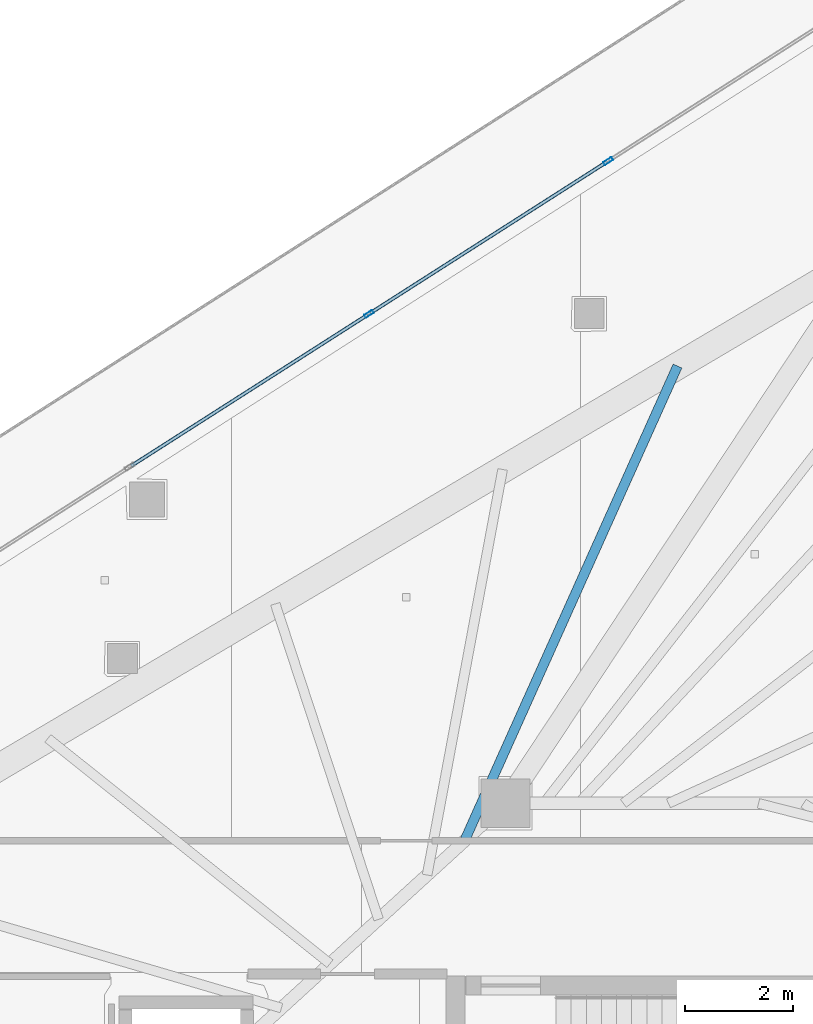
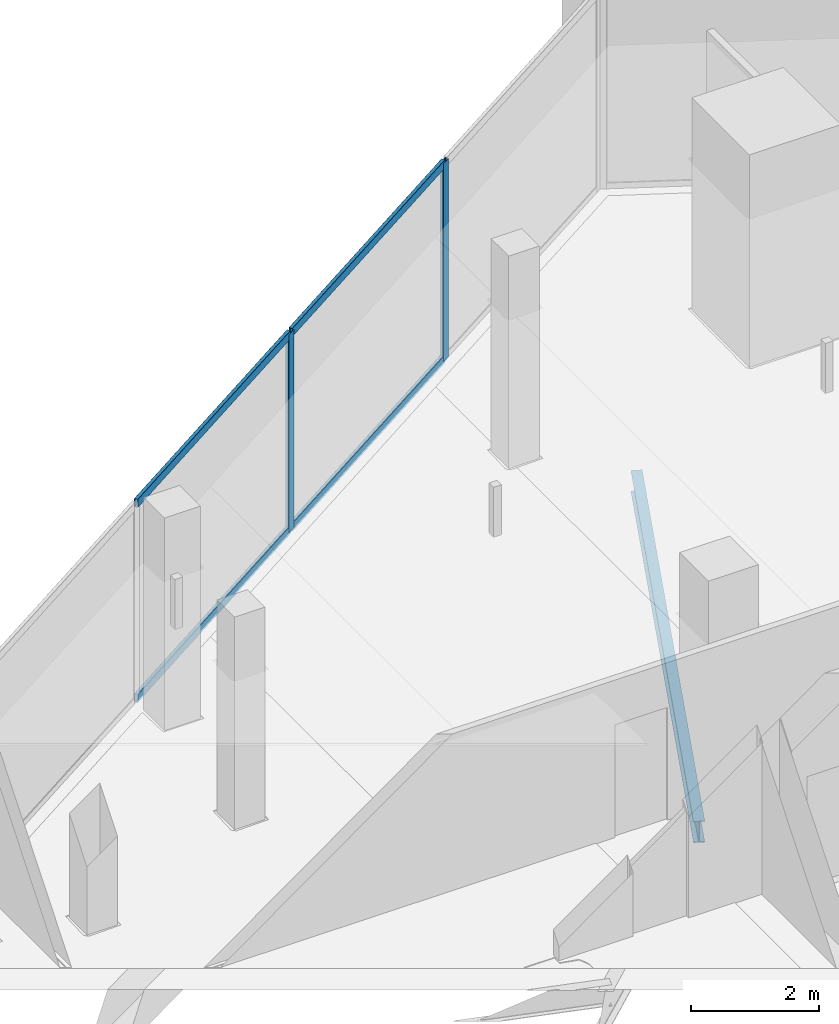
# One storey, part 18 of 33: 6 members, 1 beam, 1 element without a shape of its own.
"""IFC4 building model written with IfcOpenShell, lengths in metres."""

from ifc_helpers import new_model, si_unit, direction, frame, origin, origin_2d, place, context, subcontext, project, spatial, hollow_rectangle, i_section, extrude, material, layer, layer_set, material_profile, profile_set, type_object, element, aggregate, save


model = new_model("IFC4")

# Units and contexts
model_context = context("Model", 3, precision=1e-05, world=origin(), true_north=direction((0.0, 1.0)))
body_context = subcontext(model_context, "Body", "Model", "MODEL_VIEW")
ifc_project = project(units=[si_unit("LENGTHUNIT", "METRE"), si_unit("AREAUNIT", "SQUARE_METRE"), si_unit("VOLUMEUNIT", "CUBIC_METRE"), si_unit("PLANEANGLEUNIT", "RADIAN"), si_unit("MASSUNIT", "GRAM", prefix="KILO")], contexts=[model_context])

# Site, building, storey
site_placement = place(None, origin())
site = spatial("IfcSite", under=ifc_project, at=site_placement, CompositionType="ELEMENT")
building_placement = place(site_placement, origin())
building = spatial("IfcBuilding", under=site, at=building_placement, Name="Qorvath Tower", CompositionType="ELEMENT")
storey_placement = place(building_placement, frame((0.0, 0.0, 221.25)))
storey = spatial("IfcBuildingStorey", under=building, at=storey_placement, Name="L51", CompositionType="ELEMENT", Elevation=221.25)

# Beam
ifc_material_1 = material(Name="Steel ASTM A992 Grade 50", Category="steel")
ifc_material_profile_1 = material_profile(ifc_material_1, i_section(OverallWidth=0.177978515625, OverallDepth=0.406005859375, WebThickness=0.0078125, FlangeThickness=0.0126953125, FilletRadius=0.010986328125, at=origin_2d()), Name="W16x40")
ifc_profile_set_1 = profile_set([ifc_material_profile_1], Name="Steel ASTM A992 Grade 50")
beam_type = type_object("IfcBeamType", Name="BM-FJ3", PredefinedType="JOIST", material=ifc_profile_set_1)
beam_placement = place(storey_placement, frame((-24.35888671875, 10.757080078125, -0.472900390625), z_axis=(0.409327209141, 0.912387656568, 0.0), x_axis=(-0.912387656568, 0.409327209141, 0.0)))
element("IfcBeam", 1, at=beam_placement, inside=storey, type_object=beam_type, Name="Composite Floor Joist NW7 L51", PredefinedType="JOIST", context=body_context, shape_type="SweptSolid", body=[
    extrude(i_section(OverallWidth=0.177978515625, OverallDepth=0.406005859375, WebThickness=0.0078125, FlangeThickness=0.0126953125, FilletRadius=0.010986328125, at=origin_2d()), origin(), (0.0, 0.0, 1.0), 9.611083984375),
])

# Curtain wall, members
ifc_material_2 = material(Name="Anodised aluminium and triple low-E glass", Category="aluminium")
ifc_layer = layer(ifc_material_2, 0.179931640625)
ifc_layer_set = layer_set([ifc_layer], Name="CW-SYS-3")
curtain_wall_type = type_object("IfcCurtainWallType", Name="CW-SYS-3", PredefinedType="NOTDEFINED", material=ifc_layer_set)
curtain_wall_placement = place(storey_placement, origin())
curtain_wall = element("IfcCurtainWall", 2, at=curtain_wall_placement, inside=storey, type_object=curtain_wall_type, Name="Curtain Wall CW-3 CW-T-L51-16.1", PredefinedType="NOTDEFINED")
ifc_material_3 = material(Name="Anodised aluminium 6063-T6", Category="aluminium")
ifc_material_profile_2 = material_profile(ifc_material_3, hollow_rectangle(XDim=0.06494140625, YDim=0.179931640625, WallThickness=0.00341796875, InnerFilletRadius=0.00341796875, OuterFilletRadius=0.007080078125, at=origin_2d()), Name="CWM 180x65")
ifc_profile_set_2 = profile_set([ifc_material_profile_2], Name="Anodised aluminium 6063-T6")
member_type_1 = type_object("IfcMemberType", Name="CWM-180", PredefinedType="MULLION", material=ifc_profile_set_2)
member_1_placement = place(storey_placement, frame((-21.705810546875, 23.311279296875, 0.0), z_axis=(0.0, 0.0, 1.0), x_axis=(0.538534785809, -0.842603278224, 0.0)))
member_1 = element("IfcMember", 3, at=member_1_placement, type_object=member_type_1, Name="CW-3 mullion 2", PredefinedType="MULLION", context=body_context, shape_type="SweptSolid", body=[
    extrude(hollow_rectangle(XDim=0.06494140625, YDim=0.179931640625, WallThickness=0.00341796875, InnerFilletRadius=0.00341796875, OuterFilletRadius=0.007080078125, at=origin_2d()), origin(), (0.0, 0.0, 1.0), 3.780029296875),
])
member_2_placement = place(storey_placement, frame((-26.122802734375, 20.48828125, 0.0), z_axis=(0.0, 0.0, 1.0), x_axis=(0.538534785809, -0.842603278224, 0.0)))
member_2 = element("IfcMember", 4, at=member_2_placement, type_object=member_type_1, Name="CW-3 mullion 3", PredefinedType="MULLION", context=body_context, shape_type="SweptSolid", body=[
    extrude(hollow_rectangle(XDim=0.06494140625, YDim=0.179931640625, WallThickness=0.00341796875, InnerFilletRadius=0.00341796875, OuterFilletRadius=0.007080078125, at=origin_2d()), origin(), (0.0, 0.0, 1.0), 3.780029296875),
])
ifc_material_4 = material(Name="Anodised aluminium 6063-T6", Category="aluminium")
ifc_material_profile_3 = material_profile(ifc_material_4, hollow_rectangle(XDim=0.06494140625, YDim=0.159912109375, WallThickness=0.00341796875, InnerFilletRadius=0.00341796875, OuterFilletRadius=0.007080078125, at=origin_2d()), Name="CWT 160x65")
ifc_profile_set_3 = profile_set([ifc_material_profile_3], Name="Anodised aluminium 6063-T6")
member_type_2 = type_object("IfcMemberType", Name="CWT-160", PredefinedType="USERDEFINED", material=ifc_profile_set_3)
member_3_placement = place(storey_placement, frame((-21.733154296875, 23.2939453125, 0.032470703125), z_axis=(-0.842603535115, -0.538534383871, 0.0), x_axis=(0.538534383871, -0.842603535115, 0.0)))
member_3 = element("IfcMember", 5, at=member_3_placement, type_object=member_type_2, Name="CW-3 transom 2.1", ObjectType="TRANSOM", PredefinedType="USERDEFINED", context=body_context, shape_type="SweptSolid", body=[
    extrude(hollow_rectangle(XDim=0.06494140625, YDim=0.159912109375, WallThickness=0.00341796875, InnerFilletRadius=0.00341796875, OuterFilletRadius=0.007080078125, at=origin_2d()), origin(), (0.0, 0.0, 1.0), 5.17724609375),
])
member_4_placement = place(storey_placement, frame((-21.733154296875, 23.2939453125, 3.74755859375), z_axis=(-0.842603535115, -0.538534383871, 0.0), x_axis=(0.538534383871, -0.842603535115, 0.0)))
member_4 = element("IfcMember", 6, at=member_4_placement, type_object=member_type_2, Name="CW-3 transom 2.2", ObjectType="TRANSOM", PredefinedType="USERDEFINED", context=body_context, shape_type="SweptSolid", body=[
    extrude(hollow_rectangle(XDim=0.06494140625, YDim=0.159912109375, WallThickness=0.00341796875, InnerFilletRadius=0.00341796875, OuterFilletRadius=0.007080078125, at=origin_2d()), origin(), (0.0, 0.0, 1.0), 5.17724609375),
])
member_5_placement = place(storey_placement, frame((-26.150146484375, 20.470703125, 0.032470703125), z_axis=(-0.842617210776, -0.538512986013, 0.0), x_axis=(0.538512986013, -0.842617210776, 0.0)))
member_5 = element("IfcMember", 7, at=member_5_placement, type_object=member_type_2, Name="CW-3 transom 3.1", ObjectType="TRANSOM", PredefinedType="USERDEFINED", context=body_context, shape_type="SweptSolid", body=[
    extrude(hollow_rectangle(XDim=0.06494140625, YDim=0.159912109375, WallThickness=0.00341796875, InnerFilletRadius=0.00341796875, OuterFilletRadius=0.007080078125, at=origin_2d()), origin(), (0.0, 0.0, 1.0), 5.177490234375),
])
member_6_placement = place(storey_placement, frame((-26.150146484375, 20.470703125, 3.74755859375), z_axis=(-0.842617210776, -0.538512986013, 0.0), x_axis=(0.538512986013, -0.842617210776, 0.0)))
member_6 = element("IfcMember", 8, at=member_6_placement, type_object=member_type_2, Name="CW-3 transom 3.2", ObjectType="TRANSOM", PredefinedType="USERDEFINED", context=body_context, shape_type="SweptSolid", body=[
    extrude(hollow_rectangle(XDim=0.06494140625, YDim=0.159912109375, WallThickness=0.00341796875, InnerFilletRadius=0.00341796875, OuterFilletRadius=0.007080078125, at=origin_2d()), origin(), (0.0, 0.0, 1.0), 5.177490234375),
])
aggregate(curtain_wall, [member_1, member_2, member_3, member_4, member_5, member_6])

save(model, "model.ifc")
